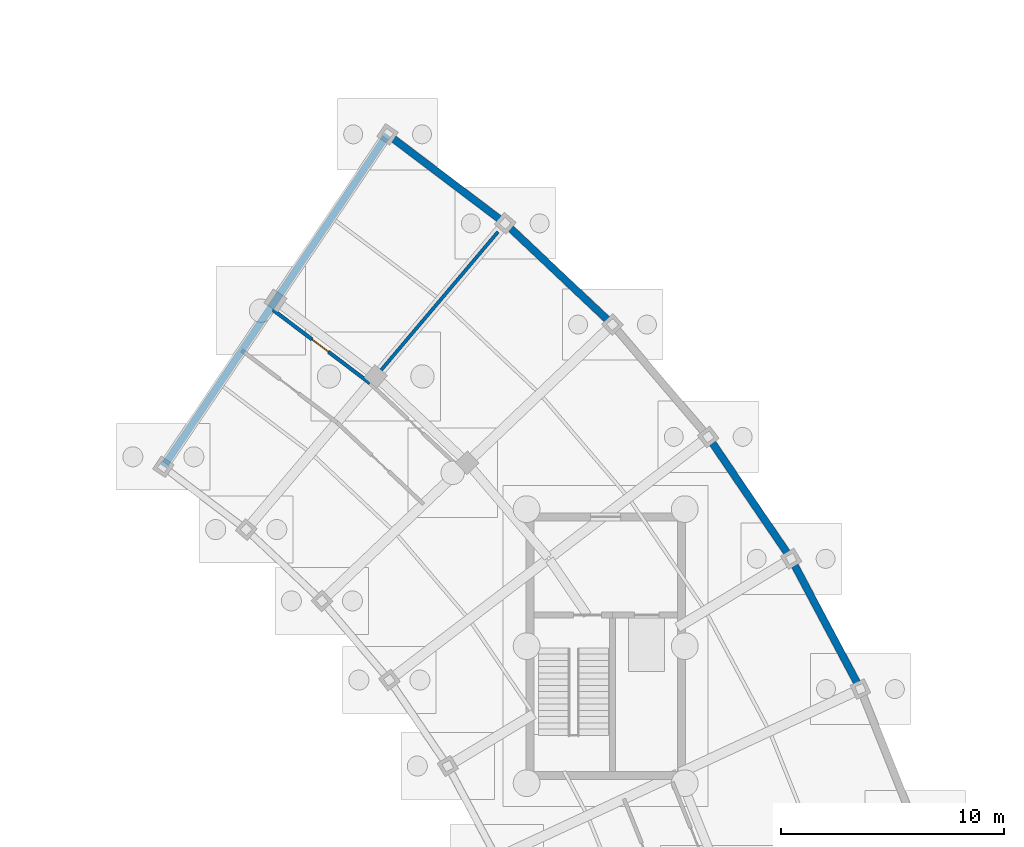
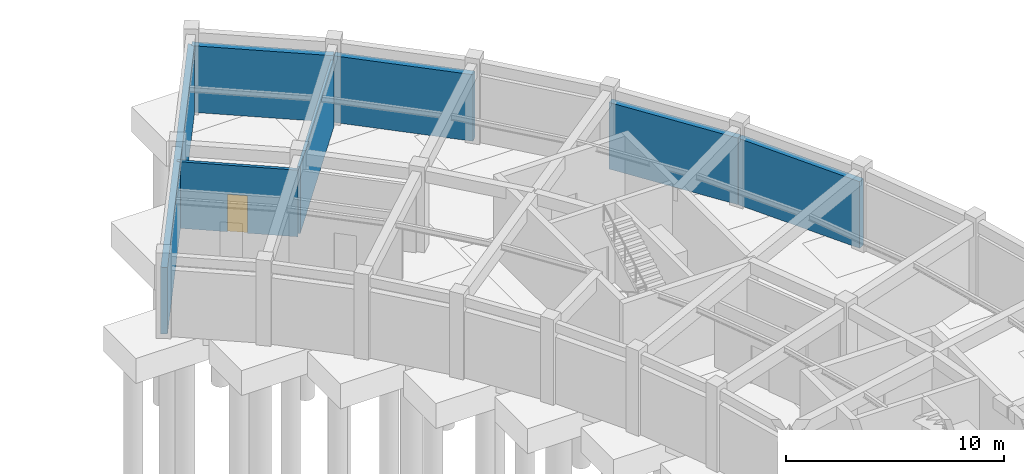
# One storey, part 27 of 42: 7 walls, 1 door, 1 opening.
"""IFC4 building model written with IfcOpenShell, lengths in metres."""

from ifc_helpers import new_model, si_unit, direction, frame, frame_2d, origin, place, context, subcontext, project, spatial, rectangle, extrude, material, layer, layer_set, type_object, element, fill, save


model = new_model("IFC4")

# Units and contexts
model_context = context("Model", 3, precision=1e-05, world=origin(), true_north=direction((0.0, 1.0)))
body_context = subcontext(model_context, "Body", "Model", "MODEL_VIEW")
ifc_project = project(units=[si_unit("LENGTHUNIT", "METRE"), si_unit("AREAUNIT", "SQUARE_METRE"), si_unit("VOLUMEUNIT", "CUBIC_METRE"), si_unit("PLANEANGLEUNIT", "RADIAN"), si_unit("MASSUNIT", "GRAM", prefix="KILO")], contexts=[model_context])

# Site, building, storey
site_placement = place(None, origin())
site = spatial("IfcSite", under=ifc_project, at=site_placement, CompositionType="ELEMENT")
building_placement = place(site_placement, origin())
building = spatial("IfcBuilding", under=site, at=building_placement, Name="Tarnveldt Headland Concert Hall", CompositionType="ELEMENT")
storey_placement = place(building_placement, frame((0.0, 0.0, -4.800048828125)))
storey = spatial("IfcBuildingStorey", under=building, at=storey_placement, Name="B1", CompositionType="ELEMENT", Elevation=-4.800048828125)

# Walls
ifc_material_1 = material(Name="Coral-toned precast concrete C40/50", Category="concrete")
ifc_layer_1 = layer(ifc_material_1, 0.324951171875, Name="Coral-toned precast concrete C40/50", Category="concrete")
ifc_layer_set_1 = layer_set([ifc_layer_1], Name="Coral-toned precast concrete C40/50")
wall_type_1 = type_object("IfcWallType", Name="WL-EX325", PredefinedType="SOLIDWALL", material=ifc_layer_set_1)
wall_1_placement = place(storey_placement, frame((169.735595703125, 91.5009765625, 0.0), z_axis=(0.0, 0.0, 1.0), x_axis=(0.469465310576, -0.882950917189, 0.0)))
element("IfcWall", 1, at=wall_1_placement, inside=storey, type_object=wall_type_1, Name="External precast wall B1-74", PredefinedType="SOLIDWALL", context=body_context, shape_type="SweptSolid", body=[
    extrude(rectangle(XDim=6.5810546875, YDim=0.324951171875, at=frame_2d((3.29052734375, 0.0))), origin(), (0.0, 0.0, 1.0), 3.738037109375),
])
for number, where, z_axis, x_axis, name in (
    (2, (166.013671875, 96.97705078125, 0.0), (0.0, 0.0, 1.0), (0.56240640933, -0.826860950067, 0.0), "External precast wall B1-76"),
    (3, (156.905517578125, 106.5625, 0.0), (0.0, 0.0, 1.0), (0.727377231984, -0.686237832235, 0.0), "External precast wall B1-80"),
):
    element("IfcWall", number, at=place(storey_placement, frame(where, z_axis=z_axis, x_axis=x_axis)), inside=storey, type_object=wall_type_1, Name=name, PredefinedType="SOLIDWALL", context=body_context, shape_type="SweptSolid", body=[
        extrude(rectangle(XDim=6.581298828125, YDim=0.324951171875, at=frame_2d((3.29052734375, 0.0))), origin(), (0.0, 0.0, 1.0), 3.738037109375),
    ])
wall_2_placement = place(storey_placement, frame((151.626708984375, 110.55908203125, 0.0), z_axis=(0.0, 0.0, 1.0), x_axis=(0.797477783019, -0.603348311998, 0.0)))
element("IfcWall", 4, at=wall_2_placement, inside=storey, type_object=wall_type_1, Name="External precast wall B1-82", PredefinedType="SOLIDWALL", context=body_context, shape_type="SweptSolid", body=[
    extrude(rectangle(XDim=6.5810546875, YDim=0.324951171875, at=frame_2d((3.29052734375, 0.0))), origin(), (0.0, 0.0, 1.0), 3.738037109375),
])
wall_3_placement = place(storey_placement, frame((141.556396484375, 95.665283203125, 0.0), z_axis=(0.0, 0.0, 1.0), x_axis=(0.559199902081, 0.82903285189, 0.0)))
element("IfcWall", 5, at=wall_3_placement, inside=storey, type_object=wall_type_1, Name="External precast wall B1-84", PredefinedType="SOLIDWALL", context=body_context, shape_type="SweptSolid", body=[
    extrude(rectangle(XDim=17.9599609375, YDim=0.324951171875, at=frame_2d((8.97998046875, 0.0))), origin(), (0.0, 0.0, 1.0), 3.738037109375),
])
ifc_material_2 = material(Name="Acoustic multi-layer gypsum and mineral-wool partition", Category="gypsum")
ifc_layer_2 = layer(ifc_material_2, 0.14990234375, Name="Acoustic multi-layer gypsum and mineral-wool partition", Category="gypsum")
ifc_layer_set_2 = layer_set([ifc_layer_2], Name="Acoustic multi-layer gypsum and mineral-wool partition")
wall_type_2 = type_object("IfcWallType", Name="WL-PT150", PredefinedType="PARTITIONING", material=ifc_layer_set_2)
wall_4_placement = place(storey_placement, frame((150.9501953125, 99.5517578125, 0.0), z_axis=(0.0, 0.0, 1.0), x_axis=(0.645745976221, 0.763552312677, 0.0)))
element("IfcWall", 6, at=wall_4_placement, inside=storey, type_object=wall_type_2, Name="Interior acoustic partition B1-139", PredefinedType="PARTITIONING", context=body_context, shape_type="SweptSolid", body=[
    extrude(rectangle(XDim=8.699951171875, YDim=0.14990234375, at=frame_2d((4.35009765625, 0.0))), origin(), (0.0, 0.0, 1.0), 3.739990234375),
])

# Wall, opening, door
ifc_layer_3 = layer(ifc_material_2, 0.1650390625, Name="Acoustic multi-layer gypsum and mineral-wool partition", Category="gypsum")
ifc_layer_set_3 = layer_set([ifc_layer_3], Name="Acoustic multi-layer gypsum and mineral-wool partition")
wall_type_3 = type_object("IfcWallType", Name="WL-PT165", PredefinedType="PARTITIONING", material=ifc_layer_set_3)
wall_5_placement = place(storey_placement, frame((150.82080078125, 99.39892578125, 0.0), z_axis=(0.0, 0.0, 1.0), x_axis=(-0.797450601932, 0.603384237015, 0.0)))
wall_5 = element("IfcWall", 7, at=wall_5_placement, inside=storey, type_object=wall_type_3, Name="Interior acoustic partition B1-138", PredefinedType="PARTITIONING", context=body_context, shape_type="SweptSolid", body=[
    extrude(rectangle(XDim=5.600830078125, YDim=0.1650390625, at=frame_2d((2.80029296875, 0.0))), origin(), (0.0, 0.0, 1.0), 3.739990234375),
])
opening_placement = place(wall_5_placement, frame((2.34033203125, 0.0, 0.0)))
opening = element("IfcOpeningElement", 8, at=opening_placement, cuts=wall_5, Name="Opening D-B1-154", PredefinedType="OPENING", context=body_context, shape_type="SweptSolid", body=[
    extrude(rectangle(XDim=0.919921875, YDim=2.10009765625, at=frame_2d((0.4599609375, 1.050048828125))), frame((0.0, 0.092529296875, 0.0), z_axis=(0.0, -1.0, 0.0), x_axis=(1.0, 0.0, 0.0)), (0.0, 0.0, 1.0), 0.18505859375),
])
ifc_material_3 = material(Name="Treated East African mvule hardwood", Category="wood")
door_type = type_object("IfcDoorType", Name="DR-WC092", OperationType="NOTDEFINED", PredefinedType="DOOR", material=ifc_material_3)
door_placement = place(opening_placement, origin())
door = element("IfcDoor", 9, at=door_placement, inside=storey, type_object=door_type, Name="Interior room door B1-154", OperationType="SINGLE_SWING_RIGHT", OverallHeight=2.10009765625, OverallWidth=0.919921875, PredefinedType="DOOR", context=body_context, shape_type="SweptSolid", body=[
    extrude(rectangle(XDim=0.919921875, YDim=2.10009765625, at=frame_2d((0.4599609375, 1.050048828125))), frame((0.0, 0.02490234375, 0.0), z_axis=(0.0, -1.0, 0.0), x_axis=(1.0, 0.0, 0.0)), (0.0, 0.0, 1.0), 0.050048828125),
])
fill(opening, door)

save(model, "model.ifc")
